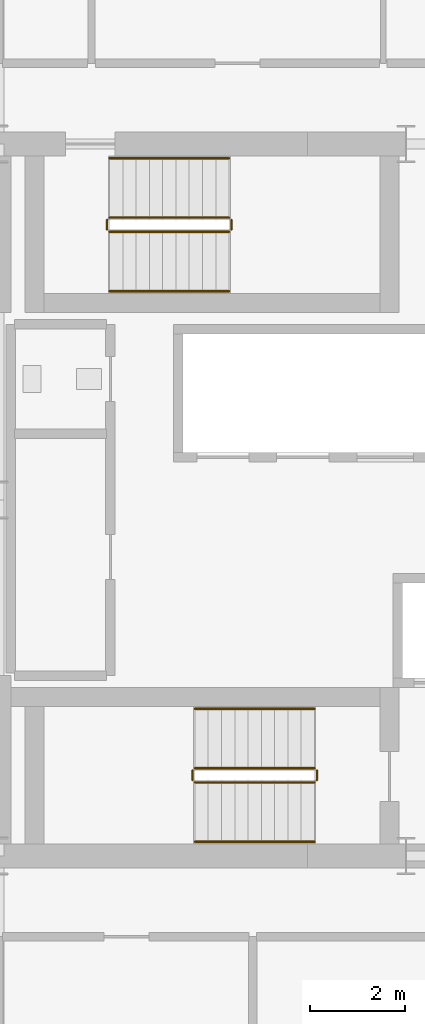
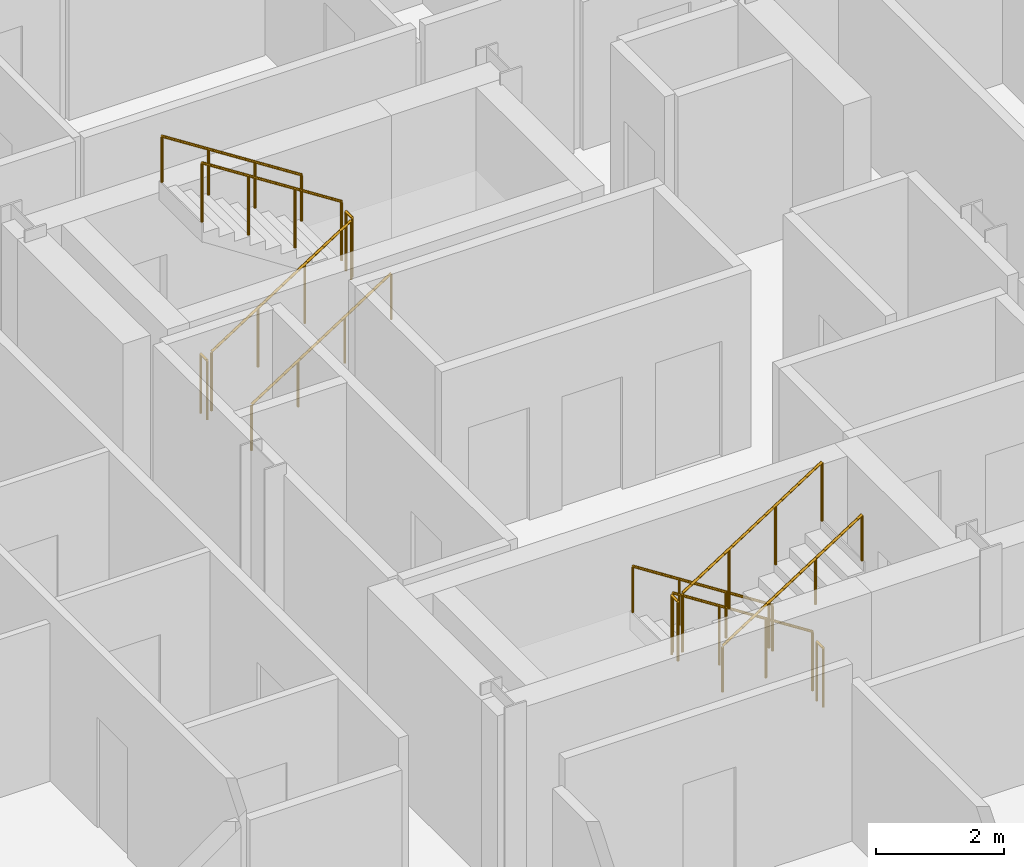
# One storey, part 23 of 24: 12 railings.
"""IFC4 building model written with IfcOpenShell, lengths in metres."""

from ifc_helpers import new_model, si_unit, direction, frame, origin, origin_2d, place, context, subcontext, project, spatial, circle, extrude, material, type_object, element, save


model = new_model("IFC4")

# Units and contexts
model_context = context("Model", 3, precision=1e-05, world=origin(), true_north=direction((0.0, 1.0)))
body_context = subcontext(model_context, "Body", "Model", "MODEL_VIEW")
ifc_project = project(units=[si_unit("LENGTHUNIT", "METRE"), si_unit("AREAUNIT", "SQUARE_METRE"), si_unit("VOLUMEUNIT", "CUBIC_METRE"), si_unit("PLANEANGLEUNIT", "RADIAN"), si_unit("MASSUNIT", "GRAM", prefix="KILO")], contexts=[model_context])

# Site, building, storey
site_placement = place(None, origin())
site = spatial("IfcSite", under=ifc_project, at=site_placement, CompositionType="ELEMENT")
building_placement = place(site_placement, origin())
building = spatial("IfcBuilding", under=site, at=building_placement, Name="Barlavira Tower and Art Museum", CompositionType="ELEMENT")
storey_placement = place(building_placement, frame((0.0, 0.0, 251.10009765625)))
storey = spatial("IfcBuildingStorey", under=building, at=storey_placement, Name="L65", CompositionType="ELEMENT", Elevation=251.10009765625)

# Railings
ifc_material = material(Name="Brushed stainless steel", Category="steel")
railing_type_1 = type_object("IfcRailingType", Name="Interior Void and Landing Guard Railing 1150", PredefinedType="GUARDRAIL", material=ifc_material)
railing_1_placement = place(storey_placement, frame((0.14990234375, -5.64990234375, 0.179931640625)))
element("IfcRailing", 1, at=railing_1_placement, inside=storey, type_object=railing_type_1, Name="L65 ST-T1 stair guard 1", PredefinedType="GUARDRAIL", context=body_context, shape_type="SweptSolid", body=[
    extrude(circle(Radius=0.02392578125, at=origin_2d()), frame((0.0, 0.0, 1.1259765625), z_axis=(-0.841199657755, 0.0, 0.540724639528), x_axis=(0.0, -1.0, 0.0)), (0.0, 0.0, 1.0), 2.995849609375),
    extrude(circle(Radius=0.02099609375, at=origin_2d()), origin(), (0.0, 0.0, 1.0), 1.101806640625),
    extrude(circle(Radius=0.02099609375, at=origin_2d()), frame((-0.840087890625, 0.0, 0.5400390625)), (0.0, 0.0, 1.0), 1.101806640625),
    extrude(circle(Radius=0.02099609375, at=origin_2d()), frame((-1.679931640625, 0.0, 1.079833984375)), (0.0, 0.0, 1.0), 1.101806640625),
    extrude(circle(Radius=0.02099609375, at=origin_2d()), frame((-2.52001953125, 0.0, 1.619873046875)), (0.0, 0.0, 1.0), 1.101806640625),
])
railing_2_placement = place(storey_placement, frame((-2.419921875, -5.699951171875, 1.7998046875)))
element("IfcRailing", 2, at=railing_2_placement, inside=storey, type_object=railing_type_1, Name="L65 ST-T1 stair guard 2", PredefinedType="GUARDRAIL", context=body_context, shape_type="SweptSolid", body=[
    extrude(circle(Radius=0.02392578125, at=origin_2d()), frame((0.0, 0.0, 1.1259765625), z_axis=(0.0, -1.0, 0.0), x_axis=(1.0, 0.0, 0.0)), (0.0, 0.0, 1.0), 0.199951171875),
    extrude(circle(Radius=0.02099609375, at=origin_2d()), origin(), (0.0, 0.0, 1.0), 1.101806640625),
    extrude(circle(Radius=0.02099609375, at=origin_2d()), frame((0.0, -0.199951171875, 0.0)), (0.0, 0.0, 1.0), 1.101806640625),
])
railing_3_placement = place(storey_placement, frame((-2.3701171875, -5.949951171875, 1.97998046875)))
element("IfcRailing", 3, at=railing_3_placement, inside=storey, type_object=railing_type_1, Name="L65 ST-T1 stair guard 3", PredefinedType="GUARDRAIL", context=body_context, shape_type="SweptSolid", body=[
    extrude(circle(Radius=0.02392578125, at=origin_2d()), frame((0.0, 0.0, 1.1259765625), z_axis=(0.841199657755, 0.0, 0.540724639528), x_axis=(0.0, 1.0, 0.0)), (0.0, 0.0, 1.0), 2.995849609375),
    extrude(circle(Radius=0.02099609375, at=origin_2d()), origin(), (0.0, 0.0, 1.0), 1.101806640625),
    extrude(circle(Radius=0.02099609375, at=origin_2d()), frame((0.840087890625, 0.0, 0.5400390625)), (0.0, 0.0, 1.0), 1.101806640625),
    extrude(circle(Radius=0.02099609375, at=origin_2d()), frame((1.679931640625, 0.0, 1.079833984375)), (0.0, 0.0, 1.0), 1.101806640625),
    extrude(circle(Radius=0.02099609375, at=origin_2d()), frame((2.52001953125, 0.0, 1.619873046875)), (0.0, 0.0, 1.0), 1.101806640625),
])
railing_4_placement = place(storey_placement, frame((0.199951171875, -5.699951171875, 0.0)))
element("IfcRailing", 4, at=railing_4_placement, inside=storey, type_object=railing_type_1, Name="L65 ST-T1 stair guard 4", PredefinedType="GUARDRAIL", context=body_context, shape_type="SweptSolid", body=[
    extrude(circle(Radius=0.02392578125, at=origin_2d()), frame((0.0, 0.0, 1.1259765625), z_axis=(0.0, -1.0, 0.0), x_axis=(1.0, 0.0, 0.0)), (0.0, 0.0, 1.0), 0.199951171875),
    extrude(circle(Radius=0.02099609375, at=origin_2d()), origin(), (0.0, 0.0, 1.0), 1.101806640625),
    extrude(circle(Radius=0.02099609375, at=origin_2d()), frame((0.0, -0.199951171875, 0.0)), (0.0, 0.0, 1.0), 1.101806640625),
])
railing_5_placement = place(storey_placement, frame((-4.169921875, 5.64990234375, 0.179931640625)))
element("IfcRailing", 5, at=railing_5_placement, inside=storey, type_object=railing_type_1, Name="L65 ST-T2 stair guard 1", PredefinedType="GUARDRAIL", context=body_context, shape_type="SweptSolid", body=[
    extrude(circle(Radius=0.02392578125, at=origin_2d()), frame((0.0, 0.0, 1.1259765625), z_axis=(0.841199657755, 0.0, 0.540724639528), x_axis=(0.0, 1.0, 0.0)), (0.0, 0.0, 1.0), 2.995849609375),
    extrude(circle(Radius=0.02099609375, at=origin_2d()), origin(), (0.0, 0.0, 1.0), 1.101806640625),
    extrude(circle(Radius=0.02099609375, at=origin_2d()), frame((0.840087890625, 0.0, 0.5400390625)), (0.0, 0.0, 1.0), 1.101806640625),
    extrude(circle(Radius=0.02099609375, at=origin_2d()), frame((1.679931640625, 0.0, 1.079833984375)), (0.0, 0.0, 1.0), 1.101806640625),
    extrude(circle(Radius=0.02099609375, at=origin_2d()), frame((2.52001953125, 0.0, 1.619873046875)), (0.0, 0.0, 1.0), 1.101806640625),
])
railing_6_placement = place(storey_placement, frame((-1.60009765625, 5.699951171875, 1.7998046875)))
element("IfcRailing", 6, at=railing_6_placement, inside=storey, type_object=railing_type_1, Name="L65 ST-T2 stair guard 2", PredefinedType="GUARDRAIL", context=body_context, shape_type="SweptSolid", body=[
    extrude(circle(Radius=0.02392578125, at=origin_2d()), frame((0.0, 0.0, 1.1259765625), z_axis=(0.0, 1.0, 0.0), x_axis=(-1.0, 0.0, 0.0)), (0.0, 0.0, 1.0), 0.199951171875),
    extrude(circle(Radius=0.02099609375, at=origin_2d()), origin(), (0.0, 0.0, 1.0), 1.101806640625),
    extrude(circle(Radius=0.02099609375, at=origin_2d()), frame((0.0, 0.199951171875, 0.0)), (0.0, 0.0, 1.0), 1.101806640625),
])
railing_7_placement = place(storey_placement, frame((-1.64990234375, 5.949951171875, 1.97998046875)))
element("IfcRailing", 7, at=railing_7_placement, inside=storey, type_object=railing_type_1, Name="L65 ST-T2 stair guard 3", PredefinedType="GUARDRAIL", context=body_context, shape_type="SweptSolid", body=[
    extrude(circle(Radius=0.02392578125, at=origin_2d()), frame((0.0, 0.0, 1.1259765625), z_axis=(-0.841199657755, 0.0, 0.540724639528), x_axis=(0.0, -1.0, 0.0)), (0.0, 0.0, 1.0), 2.995849609375),
    extrude(circle(Radius=0.02099609375, at=origin_2d()), origin(), (0.0, 0.0, 1.0), 1.101806640625),
    extrude(circle(Radius=0.02099609375, at=origin_2d()), frame((-0.840087890625, 0.0, 0.5400390625)), (0.0, 0.0, 1.0), 1.101806640625),
    extrude(circle(Radius=0.02099609375, at=origin_2d()), frame((-1.679931640625, 0.0, 1.079833984375)), (0.0, 0.0, 1.0), 1.101806640625),
    extrude(circle(Radius=0.02099609375, at=origin_2d()), frame((-2.52001953125, 0.0, 1.619873046875)), (0.0, 0.0, 1.0), 1.101806640625),
])
railing_8_placement = place(storey_placement, frame((-4.219970703125, 5.699951171875, 0.0)))
element("IfcRailing", 8, at=railing_8_placement, inside=storey, type_object=railing_type_1, Name="L65 ST-T2 stair guard 4", PredefinedType="GUARDRAIL", context=body_context, shape_type="SweptSolid", body=[
    extrude(circle(Radius=0.02392578125, at=origin_2d()), frame((0.0, 0.0, 1.1259765625), z_axis=(0.0, 1.0, 0.0), x_axis=(-1.0, 0.0, 0.0)), (0.0, 0.0, 1.0), 0.199951171875),
    extrude(circle(Radius=0.02099609375, at=origin_2d()), origin(), (0.0, 0.0, 1.0), 1.101806640625),
    extrude(circle(Radius=0.02099609375, at=origin_2d()), frame((0.0, 0.199951171875, 0.0)), (0.0, 0.0, 1.0), 1.101806640625),
])
railing_type_2 = type_object("IfcRailingType", Name="Stair Pitch Tubular Steel Handrail 920", PredefinedType="HANDRAIL", material=ifc_material)
railing_9_placement = place(storey_placement, frame((0.14990234375, -4.39990234375, 0.179931640625)))
element("IfcRailing", 9, at=railing_9_placement, inside=storey, type_object=railing_type_2, Name="L65 ST-T1 stair handrail 1", PredefinedType="HANDRAIL", context=body_context, shape_type="SweptSolid", body=[
    extrude(circle(Radius=0.02392578125, at=origin_2d()), frame((0.0, 0.0, 0.8759765625), z_axis=(-0.841199657755, 0.0, 0.540724639528), x_axis=(0.0, -1.0, 0.0)), (0.0, 0.0, 1.0), 2.995849609375),
    extrude(circle(Radius=0.02099609375, at=origin_2d()), origin(), (0.0, 0.0, 1.0), 0.851806640625),
    extrude(circle(Radius=0.02099609375, at=origin_2d()), frame((-0.840087890625, 0.0, 0.5400390625)), (0.0, 0.0, 1.0), 0.851806640625),
    extrude(circle(Radius=0.02099609375, at=origin_2d()), frame((-1.679931640625, 0.0, 1.079833984375)), (0.0, 0.0, 1.0), 0.851806640625),
    extrude(circle(Radius=0.02099609375, at=origin_2d()), frame((-2.52001953125, 0.0, 1.619873046875)), (0.0, 0.0, 1.0), 0.851806640625),
])
for number, where, name in (
    (10, (-2.3701171875, -7.199951171875, 1.97998046875), "L65 ST-T1 stair handrail 2"),
    (11, (-4.169921875, 4.39990234375, 0.179931640625), "L65 ST-T2 stair handrail 1"),
):
    element("IfcRailing", number, at=place(storey_placement, frame(where)), inside=storey, type_object=railing_type_2, Name=name, PredefinedType="HANDRAIL", context=body_context, shape_type="SweptSolid", body=[
        extrude(circle(Radius=0.02392578125, at=origin_2d()), frame((0.0, 0.0, 0.8759765625), z_axis=(0.841199657755, 0.0, 0.540724639528), x_axis=(0.0, 1.0, 0.0)), (0.0, 0.0, 1.0), 2.995849609375),
        extrude(circle(Radius=0.02099609375, at=origin_2d()), origin(), (0.0, 0.0, 1.0), 0.851806640625),
        extrude(circle(Radius=0.02099609375, at=origin_2d()), frame((0.840087890625, 0.0, 0.5400390625)), (0.0, 0.0, 1.0), 0.851806640625),
        extrude(circle(Radius=0.02099609375, at=origin_2d()), frame((1.679931640625, 0.0, 1.079833984375)), (0.0, 0.0, 1.0), 0.851806640625),
        extrude(circle(Radius=0.02099609375, at=origin_2d()), frame((2.52001953125, 0.0, 1.619873046875)), (0.0, 0.0, 1.0), 0.851806640625),
    ])
railing_10_placement = place(storey_placement, frame((-1.64990234375, 7.199951171875, 1.97998046875)))
element("IfcRailing", 12, at=railing_10_placement, inside=storey, type_object=railing_type_2, Name="L65 ST-T2 stair handrail 2", PredefinedType="HANDRAIL", context=body_context, shape_type="SweptSolid", body=[
    extrude(circle(Radius=0.02392578125, at=origin_2d()), frame((0.0, 0.0, 0.8759765625), z_axis=(-0.841199657755, 0.0, 0.540724639528), x_axis=(0.0, -1.0, 0.0)), (0.0, 0.0, 1.0), 2.995849609375),
    extrude(circle(Radius=0.02099609375, at=origin_2d()), origin(), (0.0, 0.0, 1.0), 0.851806640625),
    extrude(circle(Radius=0.02099609375, at=origin_2d()), frame((-0.840087890625, 0.0, 0.5400390625)), (0.0, 0.0, 1.0), 0.851806640625),
    extrude(circle(Radius=0.02099609375, at=origin_2d()), frame((-1.679931640625, 0.0, 1.079833984375)), (0.0, 0.0, 1.0), 0.851806640625),
    extrude(circle(Radius=0.02099609375, at=origin_2d()), frame((-2.52001953125, 0.0, 1.619873046875)), (0.0, 0.0, 1.0), 0.851806640625),
])

save(model, "model.ifc")
